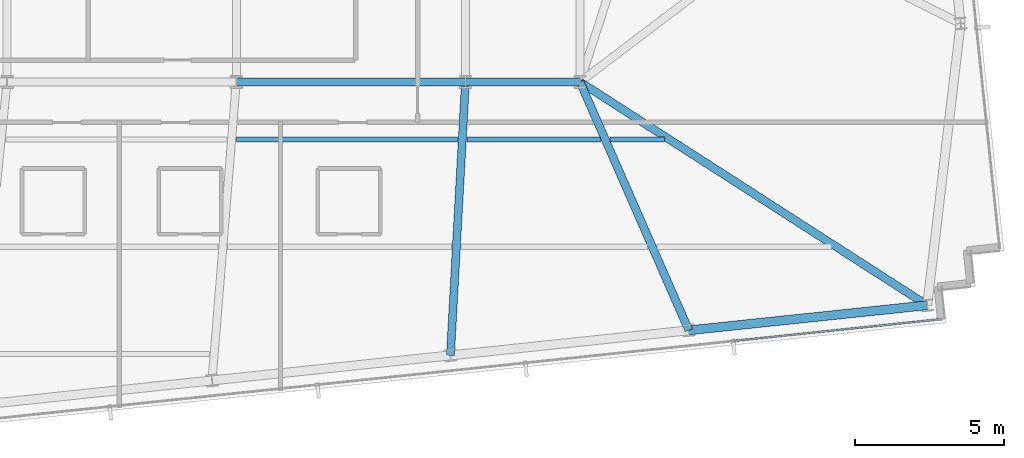
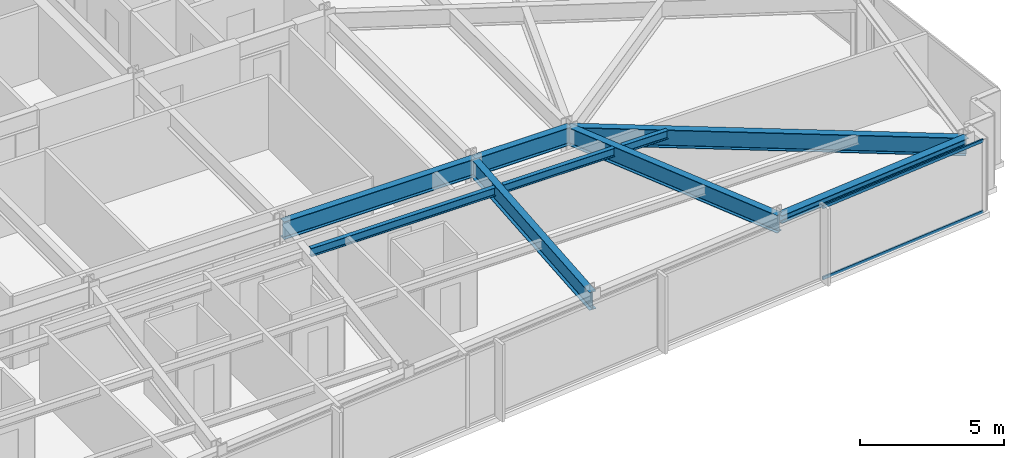
# One storey, part 16 of 33: 9 beams, 2 members, 1 element without a shape of its own.
"""IFC4 building model written with IfcOpenShell, lengths in metres."""

from ifc_helpers import new_model, si_unit, direction, frame, origin, origin_2d, place, context, subcontext, project, spatial, hollow_rectangle, i_section, extrude, material, material_profile, profile_set, type_object, element, aggregate, save


model = new_model("IFC4")

# Units and contexts
model_context = context("Model", 3, precision=1e-05, world=origin(), true_north=direction((0.0, 1.0)))
body_context = subcontext(model_context, "Body", "Model", "MODEL_VIEW")
ifc_project = project(units=[si_unit("LENGTHUNIT", "METRE"), si_unit("AREAUNIT", "SQUARE_METRE"), si_unit("VOLUMEUNIT", "CUBIC_METRE"), si_unit("PLANEANGLEUNIT", "RADIAN"), si_unit("MASSUNIT", "GRAM", prefix="KILO")], contexts=[model_context])

# Site, building, storey
site_placement = place(None, origin())
site = spatial("IfcSite", under=ifc_project, at=site_placement, CompositionType="ELEMENT")
building_placement = place(site_placement, origin())
building = spatial("IfcBuilding", under=site, at=building_placement, Name="Yelkora Congress Tower", CompositionType="ELEMENT")
storey_placement = place(building_placement, frame((0.0, 0.0, 221.0)))
storey = spatial("IfcBuildingStorey", under=building, at=storey_placement, Name="L61", CompositionType="ELEMENT", Elevation=221.0)

# Beams
ifc_material_1 = material(Name="Steel S355J2", Category="steel")
ifc_material_profile_1 = material_profile(ifc_material_1, i_section(OverallWidth=0.26708984375, OverallDepth=0.761962890625, WebThickness=0.014404296875, FlangeThickness=0.021484375, FilletRadius=0.01708984375, at=origin_2d()), Name="IPE 750x173")
ifc_profile_set_1 = profile_set([ifc_material_profile_1], Name="Steel S355J2")
beam_type_1 = type_object("IfcBeamType", Name="BM-GIRD-IPE750", PredefinedType="BEAM", material=ifc_profile_set_1)
beam_1_placement = place(storey_placement, frame((46.080078125, 25.199951171875, 2.698974609375), z_axis=(1.0, 0.0, 0.0), x_axis=(0.0, 1.0, 0.0)))
element("IfcBeam", 1, at=beam_1_placement, inside=storey, type_object=beam_type_1, Name="L61 Spine Grid D Girder 5", PredefinedType="BEAM", context=body_context, shape_type="SweptSolid", body=[
    extrude(i_section(OverallWidth=0.26708984375, OverallDepth=0.761962890625, WebThickness=0.014404296875, FlangeThickness=0.021484375, FilletRadius=0.01708984375, at=origin_2d()), origin(), (0.0, 0.0, 1.0), 7.679931640625),
])
beam_2_placement = place(storey_placement, frame((53.760009765625, 25.199951171875, 2.698974609375), z_axis=(1.0, 0.0, 0.0), x_axis=(0.0, 1.0, 0.0)))
element("IfcBeam", 2, at=beam_2_placement, inside=storey, type_object=beam_type_1, Name="L61 Spine Grid D Girder 6", PredefinedType="BEAM", context=body_context, shape_type="SweptSolid", body=[
    extrude(i_section(OverallWidth=0.26708984375, OverallDepth=0.761962890625, WebThickness=0.014404296875, FlangeThickness=0.021484375, FilletRadius=0.01708984375, at=origin_2d()), origin(), (0.0, 0.0, 1.0), 3.840087890625),
])
beam_3_placement = place(storey_placement, frame((53.25634765625, 16.037353515625, 2.698974609375), z_axis=(0.054886497042, 0.998492600094, 0.0), x_axis=(-0.998492600094, 0.054886497042, 0.0)))
element("IfcBeam", 3, at=beam_3_placement, inside=storey, type_object=beam_type_1, Name="L61 Primary Frame Girder S05", PredefinedType="BEAM", context=body_context, shape_type="SweptSolid", body=[
    extrude(i_section(OverallWidth=0.26708984375, OverallDepth=0.761962890625, WebThickness=0.014404296875, FlangeThickness=0.021484375, FilletRadius=0.01708984375, at=origin_2d()), origin(), (0.0, 0.0, 1.0), 9.176513671875),
])
beam_4_placement = place(storey_placement, frame((61.24560546875, 16.877197265625, 2.698974609375), z_axis=(-0.401216289608, 0.915983345347, 0.0), x_axis=(-0.915983345347, -0.401216289608, 0.0)))
element("IfcBeam", 4, at=beam_4_placement, inside=storey, type_object=beam_type_1, Name="L61 Primary Frame Girder S06", PredefinedType="BEAM", context=body_context, shape_type="SweptSolid", body=[
    extrude(i_section(OverallWidth=0.26708984375, OverallDepth=0.761962890625, WebThickness=0.014404296875, FlangeThickness=0.021484375, FilletRadius=0.01708984375, at=origin_2d()), origin(), (0.0, 0.0, 1.0), 9.086181640625),
])
beam_5_placement = place(storey_placement, frame((69.235107421875, 17.716796875, 2.698974609375), z_axis=(-0.841063201017, 0.54093686498, 0.0), x_axis=(-0.54093686498, -0.841063201017, 0.0)))
element("IfcBeam", 5, at=beam_5_placement, inside=storey, type_object=beam_type_1, Name="L61 Primary Frame Girder S07", PredefinedType="BEAM", context=body_context, shape_type="SweptSolid", body=[
    extrude(i_section(OverallWidth=0.26708984375, OverallDepth=0.761962890625, WebThickness=0.014404296875, FlangeThickness=0.021484375, FilletRadius=0.01708984375, at=origin_2d()), origin(), (0.0, 0.0, 1.0), 13.833740234375),
])
ifc_material_profile_2 = material_profile(ifc_material_1, i_section(OverallWidth=0.169921875, OverallDepth=0.360107421875, WebThickness=0.008056640625, FlangeThickness=0.0126953125, FilletRadius=0.01806640625, at=origin_2d()), Name="IPE 360")
ifc_profile_set_2 = profile_set([ifc_material_profile_2], Name="Steel S355J2")
beam_type_2 = type_object("IfcBeamType", Name="BM-JOIST-IPE360", PredefinedType="JOIST", material=ifc_profile_set_2)
beam_6_placement = place(storey_placement, frame((46.083740234375, 23.278564453125, 2.89990234375), z_axis=(1.0, 0.0, 0.0), x_axis=(0.0, 1.0, 0.0)))
element("IfcBeam", 6, at=beam_6_placement, inside=storey, type_object=beam_type_2, Name="L61 Composite Floor Joist 12", PredefinedType="JOIST", context=body_context, shape_type="SweptSolid", body=[
    extrude(i_section(OverallWidth=0.169921875, OverallDepth=0.360107421875, WebThickness=0.008056640625, FlangeThickness=0.0126953125, FilletRadius=0.01806640625, at=origin_2d()), origin(), (0.0, 0.0, 1.0), 7.41064453125),
])
beam_7_placement = place(storey_placement, frame((53.814453125, 23.278564453125, 2.89990234375), z_axis=(1.0, 0.0, 0.0), x_axis=(0.0, 1.0, 0.0)))
element("IfcBeam", 7, at=beam_7_placement, inside=storey, type_object=beam_type_2, Name="L61 Composite Floor Joist 13", PredefinedType="JOIST", context=body_context, shape_type="SweptSolid", body=[
    extrude(i_section(OverallWidth=0.169921875, OverallDepth=0.360107421875, WebThickness=0.008056640625, FlangeThickness=0.0126953125, FilletRadius=0.01806640625, at=origin_2d()), origin(), (0.0, 0.0, 1.0), 4.46728515625),
])
beam_8_placement = place(storey_placement, frame((58.601806640625, 23.278564453125, 2.89990234375), z_axis=(1.0, 0.0, 0.0), x_axis=(0.0, 1.0, 0.0)))
element("IfcBeam", 8, at=beam_8_placement, inside=storey, type_object=beam_type_2, Name="L61 Composite Floor Joist 14", PredefinedType="JOIST", context=body_context, shape_type="SweptSolid", body=[
    extrude(i_section(OverallWidth=0.169921875, OverallDepth=0.360107421875, WebThickness=0.008056640625, FlangeThickness=0.0126953125, FilletRadius=0.01806640625, at=origin_2d()), origin(), (0.0, 0.0, 1.0), 1.82568359375),
])
ifc_material_profile_3 = material_profile(ifc_material_1, i_section(OverallWidth=0.300048828125, OverallDepth=0.340087890625, WebThickness=0.011962890625, FlangeThickness=0.021484375, FilletRadius=0.027099609375, at=origin_2d()), Name="HEB 340")
ifc_profile_set_3 = profile_set([ifc_material_profile_3], Name="Steel S355J2")
beam_type_3 = type_object("IfcBeamType", Name="BM-SPAN-HEB340", PredefinedType="SPANDREL", material=ifc_profile_set_3)
beam_9_placement = place(storey_placement, frame((61.24560546875, 16.877197265625, 2.909912109375), z_axis=(0.99452358891, 0.104512349038, 0.0), x_axis=(-0.104512349038, 0.99452358891, 0.0)))
element("IfcBeam", 9, at=beam_9_placement, inside=storey, type_object=beam_type_3, Name="L61 Perimeter Beam 8", PredefinedType="SPANDREL", context=body_context, shape_type="SweptSolid", body=[
    extrude(i_section(OverallWidth=0.300048828125, OverallDepth=0.340087890625, WebThickness=0.011962890625, FlangeThickness=0.021484375, FilletRadius=0.027099609375, at=origin_2d()), origin(), (0.0, 0.0, 1.0), 8.033447265625),
])

# Curtain wall, members
ifc_material_2 = material(Name="Anodised aluminium and insulated glass", Category="aluminium")
curtain_wall_type = type_object("IfcCurtainWallType", Name="CW-SYS-B4", PredefinedType="NOTDEFINED", material=ifc_material_2)
curtain_wall_placement = place(storey_placement, origin())
curtain_wall = element("IfcCurtainWall", 10, at=curtain_wall_placement, inside=storey, type_object=curtain_wall_type, Name="L61 Unitised Curtain Wall 20", PredefinedType="NOTDEFINED")
ifc_material_3 = material(Name="Anodised aluminium 6063-T6", Category="aluminium")
ifc_material_profile_4 = material_profile(ifc_material_3, hollow_rectangle(XDim=0.06005859375, YDim=0.1298828125, WallThickness=0.00390625, at=origin_2d()), Name="ALU 60x130x4")
ifc_profile_set_4 = profile_set([ifc_material_profile_4], Name="Anodised aluminium 6063-T6")
member_type = type_object("IfcMemberType", Name="MEM-TR-B4", PredefinedType="USERDEFINED", material=ifc_profile_set_4)
member_1_placement = place(storey_placement, frame((69.63134765625, 17.24560546875, 0.030029296875), z_axis=(-0.994523648539, -0.104511781616, 0.0), x_axis=(0.104511781616, -0.994523648539, 0.0)))
member_1 = element("IfcMember", 11, at=member_1_placement, type_object=member_type, Name="CW-B4 transom 1.1", ObjectType="TRANSOM", PredefinedType="USERDEFINED", context=body_context, shape_type="SweptSolid", body=[
    extrude(hollow_rectangle(XDim=0.06005859375, YDim=0.1298828125, WallThickness=0.00390625, at=origin_2d()), origin(), (0.0, 0.0, 1.0), 6.9052734375),
])
member_2_placement = place(storey_placement, frame((69.63134765625, 17.24560546875, 3.050048828125), z_axis=(-0.994523648539, -0.104511781616, 0.0), x_axis=(0.104511781616, -0.994523648539, 0.0)))
member_2 = element("IfcMember", 12, at=member_2_placement, type_object=member_type, Name="CW-B4 transom 1.2", ObjectType="TRANSOM", PredefinedType="USERDEFINED", context=body_context, shape_type="SweptSolid", body=[
    extrude(hollow_rectangle(XDim=0.06005859375, YDim=0.1298828125, WallThickness=0.00390625, at=origin_2d()), origin(), (0.0, 0.0, 1.0), 6.9052734375),
])
aggregate(curtain_wall, [member_1, member_2])

save(model, "model.ifc")
